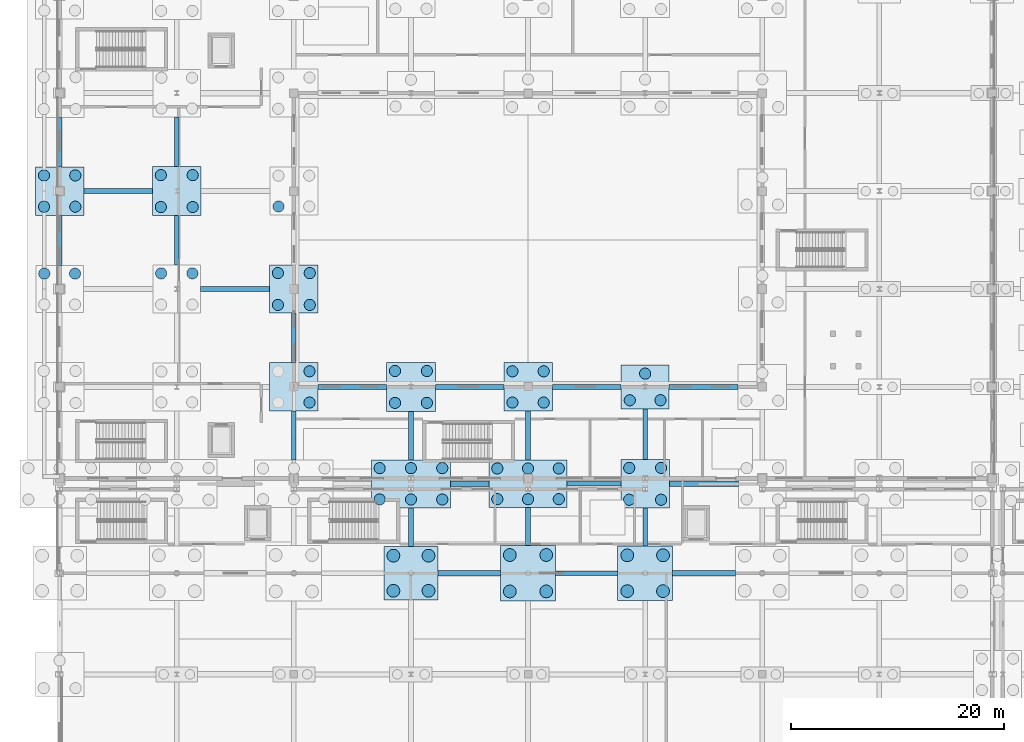
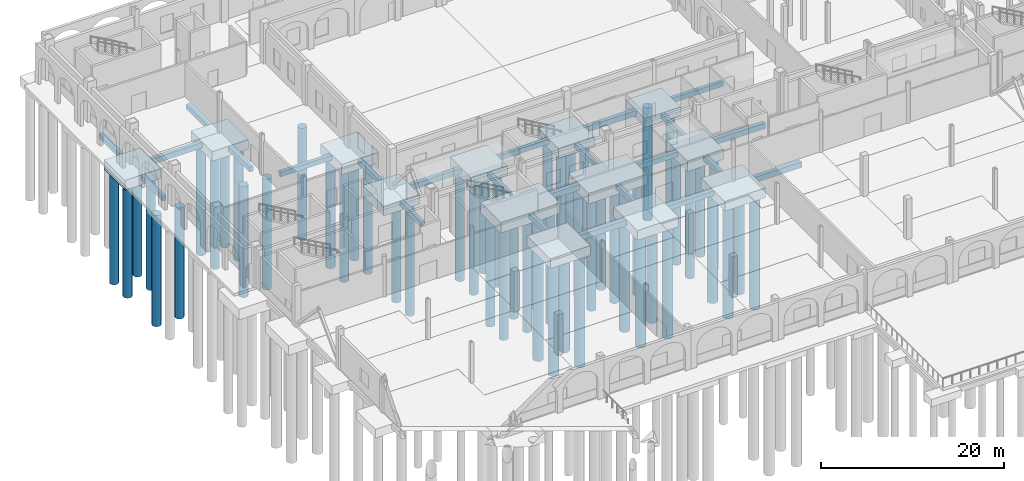
# One storey, part 5 of 83: 58 piles, 37 footings.
"""IFC4 building model written with IfcOpenShell, lengths in metres."""

import ifcopenshell
import ifcopenshell.guid

model = None  # the IFC model being written
_history = None  # IfcOwnerHistory: only IFC2X3 demands one
_inside = {}  # id of a spatial element -> (the spatial element, [elements in it])
_under = {}  # id of a project, library or spatial element -> (it, [spatial elements below it])
_declared = {}  # id of a project -> (the project, [libraries it declares])
_typed = {}  # id of a type object -> (the type object, [elements of that type])
_made_of = {}  # id of a material, layer set ... -> (it, [elements and type objects made of it])


def new_model(schema):
    """Start an empty IFC model of exactly this schema.

    Asked for "IFC4X3", IfcOpenShell would pick the latest addendum, in which some entities
    have other attributes; the version numbers below select the first issue.
    IFC2X3 requires an IfcOwnerHistory on every rooted entity: one is made here for all.
    """
    global model, _history
    if schema == "IFC4X3":
        model = ifcopenshell.file(schema_version=(4, 3, 0, 0))
    else:
        model = ifcopenshell.file(schema=schema)
    _inside.clear()
    _under.clear()
    _declared.clear()
    _typed.clear()
    _made_of.clear()
    _history = None
    if model.schema == "IFC2X3":
        org = make("IfcOrganization", Name="unknown")
        user = make(
            "IfcPersonAndOrganization",
            ThePerson=make("IfcPerson", FamilyName="unknown"),
            TheOrganization=org,
        )
        app = make(
            "IfcApplication",
            ApplicationDeveloper=org,
            Version="unknown",
            ApplicationFullName="unknown",
            ApplicationIdentifier="unknown",
        )
        _history = make(
            "IfcOwnerHistory",
            OwningUser=user,
            OwningApplication=app,
            ChangeAction="ADDED",
            CreationDate=0,
        )
    return model


def make(cls, **values):
    """One entity of the class cls with the attributes given. An attribute that is None is left unset."""
    return model.create_entity(
        cls, **{name: value for name, value in values.items() if value is not None}
    )


def rooted(cls, **values):
    """An entity with a GlobalId (a new one), such as an element, a storey or a relation."""
    return make(cls, GlobalId=ifcopenshell.guid.new(), OwnerHistory=_history, **values)


def si_unit(unit_type, name, prefix=None):
    """IfcSIUnit, for example si_unit("LENGTHUNIT", "METRE", prefix="MILLI")."""
    return make("IfcSIUnit", UnitType=unit_type, Prefix=prefix, Name=name)


def assignment(units):
    """IfcUnitAssignment: the units of a project."""
    return None if units is None else make("IfcUnitAssignment", Units=units)


def point(xyz):
    """IfcCartesianPoint."""
    return None if xyz is None else make("IfcCartesianPoint", Coordinates=xyz)


def direction(xyz):
    """IfcDirection."""
    return None if xyz is None else make("IfcDirection", DirectionRatios=xyz)


def frame(location, z_axis=None, x_axis=None):
    """IfcAxis2Placement3D, a coordinate frame: its origin and axes. An axis left out is left unset."""
    return make(
        "IfcAxis2Placement3D",
        Location=point(location),
        Axis=direction(z_axis),
        RefDirection=direction(x_axis),
    )


def frame_2d(location, x_axis=None):
    """IfcAxis2Placement2D, a coordinate frame in the plane: its origin and x axis."""
    return make(
        "IfcAxis2Placement2D", Location=point(location), RefDirection=direction(x_axis)
    )


def origin():
    """The frame at (0, 0, 0) with its axes left unset."""
    return frame((0.0, 0.0, 0.0))


def origin_2d():
    """The frame at (0, 0) in the plane with its x axis left unset."""
    return frame_2d((0.0, 0.0))


def place(relative_to, where):
    """IfcLocalPlacement: puts the frame where relative to a parent placement (None: the world)."""
    return make(
        "IfcLocalPlacement", PlacementRelTo=relative_to, RelativePlacement=where
    )


def context(
    kind, dimensions, precision=None, world=None, true_north=None, identifier=None
):
    """IfcGeometricRepresentationContext, for example the 3D "Model" context."""
    return make(
        "IfcGeometricRepresentationContext",
        ContextIdentifier=identifier,
        ContextType=kind,
        CoordinateSpaceDimension=dimensions,
        Precision=precision,
        WorldCoordinateSystem=world,
        TrueNorth=true_north,
    )


def subcontext(parent, identifier, kind, view, scale=None):
    """IfcGeometricRepresentationSubContext, for example "Body" below "Model"."""
    return make(
        "IfcGeometricRepresentationSubContext",
        ContextIdentifier=identifier,
        ContextType=kind,
        ParentContext=parent,
        TargetScale=scale,
        TargetView=view,
    )


def project(units=None, contexts=None):
    """IfcProject with its units and contexts."""
    return rooted(
        "IfcProject",
        Name="project",
        RepresentationContexts=contexts,
        UnitsInContext=assignment(units),
    )


def spatial(cls, under=None, at=None, **own):
    """A site, building, storey or space (cls), placed at a placement, below another one or the project."""
    s = rooted(cls, ObjectPlacement=at, **own)
    if under is not None:
        _under.setdefault(under.id(), (under, []))[1].append(s)
    return s


def polyline(points):
    """IfcPolyline through the points."""
    return make("IfcPolyline", Points=[point(p) for p in points])


def profile(cls, at=None, kind="AREA", **sizes):
    """A parametric profile (cls). Its sizes go by their IFC names, for example OverallWidth=200.0."""
    return make(cls, ProfileType=kind, Position=at, **sizes)


def circle(**sizes):
    """IfcCircleProfileDef."""
    return profile("IfcCircleProfileDef", **sizes)


def outline(outer, holes=None, kind="AREA"):
    """IfcArbitraryClosedProfileDef: a profile drawn as a closed curve; with holes, ...WithVoids."""
    if holes is None:
        return make("IfcArbitraryClosedProfileDef", ProfileType=kind, OuterCurve=outer)
    return make(
        "IfcArbitraryProfileDefWithVoids",
        ProfileType=kind,
        OuterCurve=outer,
        InnerCurves=holes,
    )


def extrude(swept, where, along, depth):
    """IfcExtrudedAreaSolid: the profile swept, set in the frame where, extruded along a direction by depth."""
    return make(
        "IfcExtrudedAreaSolid",
        SweptArea=swept,
        Position=where,
        ExtrudedDirection=direction(along),
        Depth=depth,
    )


def shape(context_of_items, identifier, shape_type, items):
    """IfcShapeRepresentation: the items that make up one representation, for example the "Body"."""
    return make(
        "IfcShapeRepresentation",
        ContextOfItems=context_of_items,
        RepresentationIdentifier=identifier,
        RepresentationType=shape_type,
        Items=items,
    )


def material(Name=None, Category=None):
    """IfcMaterial."""
    return make("IfcMaterial", Name=Name, Category=Category)


def material_profile(
    of_material, cross_section, Name=None, Category=None, Priority=None
):
    """IfcMaterialProfile: a cross section and its material."""
    return make(
        "IfcMaterialProfile",
        Name=Name,
        Material=of_material,
        Profile=cross_section,
        Priority=Priority,
        Category=Category,
    )


def profile_set(profiles, Name=None, composite=None):
    """IfcMaterialProfileSet."""
    return make(
        "IfcMaterialProfileSet",
        Name=Name,
        MaterialProfiles=profiles,
        CompositeProfile=composite,
    )


def made_of(thing, what):
    """Note that an element or type object is made of a material, layer set ...; save() writes the relation."""
    if what is not None:
        _made_of.setdefault(what.id(), (what, []))[1].append(thing)
    return thing


def type_object(cls, material=None, **own):
    """A type object (cls), such as IfcWallType, which elements share."""
    return made_of(rooted(cls, **own), material)


def element(
    cls,
    number,
    at=None,
    inside=None,
    cuts=None,
    type_object=None,
    material=None,
    context=None,
    identifier="Body",
    shape_type=None,
    held_by="IfcProductDefinitionShape",
    body=None,
    shapes=None,
    **own,
):
    """One element of the class cls, such as IfcWall. Its Tag is "e" and its number.

    at: its placement. inside: the storey or other place that contains it. cuts: it is an
    opening in that element (IfcRelVoidsElement). A single representation is given by context,
    identifier, shape_type and body (its items); several are given by shapes. held_by: the class
    of the entity that holds the representations. save() writes the other relations.
    """
    e = rooted(cls, Tag="e%d" % number, ObjectPlacement=at, **own)
    if body is not None:
        shapes = [shape(context, identifier, shape_type, body)]
    if shapes is not None:
        e.Representation = make(held_by, Representations=shapes)
    if inside is not None:
        _inside.setdefault(inside.id(), (inside, []))[1].append(e)
    if cuts is not None:
        rooted(
            "IfcRelVoidsElement", RelatingBuildingElement=cuts, RelatedOpeningElement=e
        )
    if type_object is not None:
        _typed.setdefault(type_object.id(), (type_object, []))[1].append(e)
    return made_of(e, material)


def aggregate(whole, parts):
    """IfcRelAggregates: a whole, such as a stair, and the parts it consists of."""
    return rooted("IfcRelAggregates", RelatingObject=whole, RelatedObjects=parts)


def save(model, path):
    """Write the relations noted so far, then the file.

    IfcRelAggregates (storeys below a building ...), IfcRelContainedInSpatialStructure (elements
    in a storey), IfcRelDefinesByType, IfcRelAssociatesMaterial and IfcRelDeclares: one each for
    every whole, place, type object, material and project.
    """
    for whole, parts in _under.values():
        aggregate(whole, parts)
    for where, things in _inside.values():
        rooted(
            "IfcRelContainedInSpatialStructure",
            RelatedElements=things,
            RelatingStructure=where,
        )
    for kind, things in _typed.values():
        rooted("IfcRelDefinesByType", RelatedObjects=things, RelatingType=kind)
    for what, things in _made_of.values():
        rooted("IfcRelAssociatesMaterial", RelatedObjects=things, RelatingMaterial=what)
    for by, libraries in _declared.values():
        rooted("IfcRelDeclares", RelatingContext=by, RelatedDefinitions=libraries)
    model.write(path)


model = new_model("IFC4")

# Units and contexts
model_context = context("Model", 3, precision=1e-05, world=origin(), true_north=direction((0.0, 1.0)))
body_context = subcontext(model_context, "Body", "Model", "MODEL_VIEW")
ifc_project = project(units=[si_unit("LENGTHUNIT", "METRE"), si_unit("AREAUNIT", "SQUARE_METRE"), si_unit("VOLUMEUNIT", "CUBIC_METRE"), si_unit("PLANEANGLEUNIT", "RADIAN"), si_unit("MASSUNIT", "GRAM", prefix="KILO")], contexts=[model_context])

# Site, building, storey
site_placement = place(None, origin())
site = spatial("IfcSite", under=ifc_project, at=site_placement, CompositionType="ELEMENT")
building_placement = place(site_placement, origin())
building = spatial("IfcBuilding", under=site, at=building_placement, Name="Caurita Quay Ferry Terminal", CompositionType="ELEMENT")
storey_placement = place(building_placement, origin())
storey = spatial("IfcBuildingStorey", under=building, at=storey_placement, Name="L00", CompositionType="ELEMENT", Elevation=0.0)

# Footings
ifc_material = material(Name="Marine reinforced concrete C40/50", Category="concrete")
footing_type_1 = type_object("IfcFootingType", Name="FTG-BM-01", PredefinedType="FOOTING_BEAM", material=ifc_material)
footing_1_placement = place(storey_placement, frame((0.0, 0.0, -1.14990234375)))
element("IfcFooting", 1, at=footing_1_placement, inside=storey, type_object=footing_type_1, Name="Seismic Tie Footing Beam FB-X-077", PredefinedType="FOOTING_BEAM", context=body_context, shape_type="SweptSolid", body=[
    extrude(outline(polyline([(35.52490234375, 62.449951171875), (41.39990234375, 62.449951171875), (41.39990234375, 62.949951171875), (35.52490234375, 62.949951171875), (35.52490234375, 62.449951171875)])), origin(), (0.0, 0.0, 1.0), 0.75),
])
footing_2_placement = place(storey_placement, frame((0.0, 0.0, -1.14990234375)))
element("IfcFooting", 2, at=footing_2_placement, inside=storey, type_object=footing_type_1, Name="Seismic Tie Footing Beam FB-X-079", PredefinedType="FOOTING_BEAM", context=body_context, shape_type="SweptSolid", body=[
    extrude(outline(polyline([(57.574951171875, 62.449951171875), (63.47509765625, 62.449951171875), (63.47509765625, 62.949951171875), (57.574951171875, 62.949951171875), (57.574951171875, 62.449951171875)])), origin(), (0.0, 0.0, 1.0), 0.75),
])
footing_3_placement = place(storey_placement, frame((0.0, 0.0, -1.14990234375)))
element("IfcFooting", 3, at=footing_3_placement, inside=storey, type_object=footing_type_1, Name="Seismic Tie Footing Beam FB-X-093", PredefinedType="FOOTING_BEAM", context=body_context, shape_type="SweptSolid", body=[
    extrude(outline(polyline([(36.72509765625, 70.85009765625), (40.324951171875, 70.85009765625), (40.324951171875, 71.35009765625), (36.72509765625, 71.35009765625), (36.72509765625, 70.85009765625)])), origin(), (0.0, 0.0, 1.0), 0.75),
])
footing_4_placement = place(storey_placement, frame((0.0, 0.0, -1.14990234375)))
element("IfcFooting", 4, at=footing_4_placement, inside=storey, type_object=footing_type_1, Name="Seismic Tie Footing Beam FB-X-095", PredefinedType="FOOTING_BEAM", context=body_context, shape_type="SweptSolid", body=[
    extrude(outline(polyline([(57.27490234375, 70.85009765625), (63.75, 70.85009765625), (63.75, 71.35009765625), (57.27490234375, 71.35009765625), (57.27490234375, 70.85009765625)])), origin(), (0.0, 0.0, 1.0), 0.75),
])
footing_5_placement = place(storey_placement, frame((0.0, 0.0, -1.14990234375)))
element("IfcFooting", 5, at=footing_5_placement, inside=storey, type_object=footing_type_1, Name="Seismic Tie Footing Beam FB-X-109", PredefinedType="FOOTING_BEAM", context=body_context, shape_type="SweptSolid", body=[
    extrude(outline(polyline([(24.27490234375, 79.949951171875), (30.699951171875, 79.949951171875), (30.699951171875, 80.449951171875), (24.27490234375, 80.449951171875), (24.27490234375, 79.949951171875)])), origin(), (0.0, 0.0, 1.0), 0.75),
])
footing_6_placement = place(storey_placement, frame((0.0, 0.0, -1.14990234375)))
element("IfcFooting", 6, at=footing_6_placement, inside=storey, type_object=footing_type_1, Name="Seismic Tie Footing Beam FB-X-111", PredefinedType="FOOTING_BEAM", context=body_context, shape_type="SweptSolid", body=[
    extrude(outline(polyline([(46.27490234375, 79.949951171875), (52.75, 79.949951171875), (52.75, 80.449951171875), (46.27490234375, 80.449951171875), (46.27490234375, 79.949951171875)])), origin(), (0.0, 0.0, 1.0), 0.75),
])
footing_7_placement = place(storey_placement, frame((0.0, 0.0, -1.14990234375)))
element("IfcFooting", 7, at=footing_7_placement, inside=storey, type_object=footing_type_1, Name="Seismic Tie Footing Beam FB-X-139", PredefinedType="FOOTING_BEAM", context=body_context, shape_type="SweptSolid", body=[
    extrude(outline(polyline([(2.27490234375, 98.35009765625), (8.699951171875, 98.35009765625), (8.699951171875, 98.85009765625), (2.27490234375, 98.85009765625), (2.27490234375, 98.35009765625)])), origin(), (0.0, 0.0, 1.0), 0.75),
])
footing_type_2 = type_object("IfcFootingType", Name="FTG-BM-02", PredefinedType="FOOTING_BEAM", material=ifc_material)
footing_8_placement = place(storey_placement, frame((0.0, 0.0, -1.050048828125)))
element("IfcFooting", 8, at=footing_8_placement, inside=storey, type_object=footing_type_2, Name="Seismic Tie Footing Beam FB-X-078", PredefinedType="FOOTING_BEAM", context=body_context, shape_type="SweptSolid", body=[
    extrude(outline(polyline([(46.60009765625, 62.47509765625), (52.425048828125, 62.47509765625), (52.425048828125, 62.925048828125), (46.60009765625, 62.925048828125), (46.60009765625, 62.47509765625)])), origin(), (0.0, 0.0, 1.0), 0.650146484375),
])
footing_9_placement = place(storey_placement, frame((0.0, 0.0, -1.050048828125)))
element("IfcFooting", 9, at=footing_9_placement, inside=storey, type_object=footing_type_2, Name="Seismic Tie Footing Beam FB-X-094", PredefinedType="FOOTING_BEAM", context=body_context, shape_type="SweptSolid", body=[
    extrude(outline(polyline([(47.675048828125, 70.875), (52.72509765625, 70.875), (52.72509765625, 71.324951171875), (47.675048828125, 71.324951171875), (47.675048828125, 70.875)])), origin(), (0.0, 0.0, 1.0), 0.650146484375),
])
footing_10_placement = place(storey_placement, frame((0.0, 0.0, -1.050048828125)))
element("IfcFooting", 10, at=footing_10_placement, inside=storey, type_object=footing_type_2, Name="Seismic Tie Footing Beam FB-X-110", PredefinedType="FOOTING_BEAM", context=body_context, shape_type="SweptSolid", body=[
    extrude(outline(polyline([(35.300048828125, 79.97509765625), (41.72509765625, 79.97509765625), (41.72509765625, 80.425048828125), (35.300048828125, 80.425048828125), (35.300048828125, 79.97509765625)])), origin(), (0.0, 0.0, 1.0), 0.650146484375),
])
footing_11_placement = place(storey_placement, frame((0.0, 0.0, -1.050048828125)))
element("IfcFooting", 11, at=footing_11_placement, inside=storey, type_object=footing_type_2, Name="Seismic Tie Footing Beam FB-X-112", PredefinedType="FOOTING_BEAM", context=body_context, shape_type="SweptSolid", body=[
    extrude(outline(polyline([(57.25, 79.97509765625), (63.699951171875, 79.97509765625), (63.699951171875, 80.425048828125), (57.25, 80.425048828125), (57.25, 79.97509765625)])), origin(), (0.0, 0.0, 1.0), 0.650146484375),
])
footing_12_placement = place(storey_placement, frame((0.0, 0.0, -1.050048828125)))
element("IfcFooting", 12, at=footing_12_placement, inside=storey, type_object=footing_type_2, Name="Seismic Tie Footing Beam FB-X-126", PredefinedType="FOOTING_BEAM", context=body_context, shape_type="SweptSolid", body=[
    extrude(outline(polyline([(13.25, 89.175048828125), (19.72509765625, 89.175048828125), (19.72509765625, 89.625), (13.25, 89.625), (13.25, 89.175048828125)])), origin(), (0.0, 0.0, 1.0), 0.650146484375),
])
footing_13_placement = place(storey_placement, frame((0.0, 0.0, -1.050048828125)))
element("IfcFooting", 13, at=footing_13_placement, inside=storey, type_object=footing_type_2, Name="Seismic Tie Footing Beam FB-Y-193", PredefinedType="FOOTING_BEAM", context=body_context, shape_type="SweptSolid", body=[
    extrude(outline(polyline([(-0.22509765625, 91.625), (0.22509765625, 91.625), (0.22509765625, 96.324951171875), (-0.22509765625, 96.324951171875), (-0.22509765625, 91.625)])), origin(), (0.0, 0.0, 1.0), 0.650146484375),
])
footing_14_placement = place(storey_placement, frame((0.0, 0.0, -1.050048828125)))
element("IfcFooting", 14, at=footing_14_placement, inside=storey, type_object=footing_type_2, Name="Seismic Tie Footing Beam FB-Y-194", PredefinedType="FOOTING_BEAM", context=body_context, shape_type="SweptSolid", body=[
    extrude(outline(polyline([(-0.22509765625, 100.875), (0.22509765625, 100.875), (0.22509765625, 105.52490234375), (-0.22509765625, 105.52490234375), (-0.22509765625, 100.875)])), origin(), (0.0, 0.0, 1.0), 0.650146484375),
])
footing_15_placement = place(storey_placement, frame((0.0, 0.0, -1.050048828125)))
element("IfcFooting", 15, at=footing_15_placement, inside=storey, type_object=footing_type_2, Name="Seismic Tie Footing Beam FB-Y-205", PredefinedType="FOOTING_BEAM", context=body_context, shape_type="SweptSolid", body=[
    extrude(outline(polyline([(10.77490234375, 91.64990234375), (11.22509765625, 91.64990234375), (11.22509765625, 96.300048828125), (10.77490234375, 96.300048828125), (10.77490234375, 91.64990234375)])), origin(), (0.0, 0.0, 1.0), 0.650146484375),
])
footing_16_placement = place(storey_placement, frame((0.0, 0.0, -1.050048828125)))
element("IfcFooting", 16, at=footing_16_placement, inside=storey, type_object=footing_type_2, Name="Seismic Tie Footing Beam FB-Y-206", PredefinedType="FOOTING_BEAM", context=body_context, shape_type="SweptSolid", body=[
    extrude(outline(polyline([(10.77490234375, 100.89990234375), (11.22509765625, 100.89990234375), (11.22509765625, 105.574951171875), (10.77490234375, 105.574951171875), (10.77490234375, 100.89990234375)])), origin(), (0.0, 0.0, 1.0), 0.650146484375),
])
footing_17_placement = place(storey_placement, frame((0.0, 0.0, -1.050048828125)))
element("IfcFooting", 17, at=footing_17_placement, inside=storey, type_object=footing_type_2, Name="Seismic Tie Footing Beam FB-Y-215", PredefinedType="FOOTING_BEAM", context=body_context, shape_type="SweptSolid", body=[
    extrude(outline(polyline([(21.77490234375, 73.324951171875), (22.22509765625, 73.324951171875), (22.22509765625, 77.925048828125), (21.77490234375, 77.925048828125), (21.77490234375, 73.324951171875)])), origin(), (0.0, 0.0, 1.0), 0.650146484375),
])
footing_18_placement = place(storey_placement, frame((0.0, 0.0, -1.050048828125)))
element("IfcFooting", 18, at=footing_18_placement, inside=storey, type_object=footing_type_2, Name="Seismic Tie Footing Beam FB-Y-216", PredefinedType="FOOTING_BEAM", context=body_context, shape_type="SweptSolid", body=[
    extrude(outline(polyline([(21.77490234375, 82.47509765625), (22.22509765625, 82.47509765625), (22.22509765625, 87.125), (21.77490234375, 87.125), (21.77490234375, 82.47509765625)])), origin(), (0.0, 0.0, 1.0), 0.650146484375),
])
footing_19_placement = place(storey_placement, frame((0.0, 0.0, -1.050048828125)))
element("IfcFooting", 19, at=footing_19_placement, inside=storey, type_object=footing_type_2, Name="Seismic Tie Footing Beam FB-Y-223", PredefinedType="FOOTING_BEAM", context=body_context, shape_type="SweptSolid", body=[
    extrude(outline(polyline([(32.77490234375, 65.22509765625), (33.22509765625, 65.22509765625), (33.22509765625, 68.85009765625), (32.77490234375, 68.85009765625), (32.77490234375, 65.22509765625)])), origin(), (0.0, 0.0, 1.0), 0.650146484375),
])
footing_20_placement = place(storey_placement, frame((0.0, 0.0, -1.050048828125)))
element("IfcFooting", 20, at=footing_20_placement, inside=storey, type_object=footing_type_2, Name="Seismic Tie Footing Beam FB-Y-224", PredefinedType="FOOTING_BEAM", context=body_context, shape_type="SweptSolid", body=[
    extrude(outline(polyline([(32.77490234375, 73.35009765625), (33.22509765625, 73.35009765625), (33.22509765625, 77.89990234375), (32.77490234375, 77.89990234375), (32.77490234375, 73.35009765625)])), origin(), (0.0, 0.0, 1.0), 0.650146484375),
])
footing_21_placement = place(storey_placement, frame((0.0, 0.0, -1.050048828125)))
element("IfcFooting", 21, at=footing_21_placement, inside=storey, type_object=footing_type_2, Name="Seismic Tie Footing Beam FB-Y-229", PredefinedType="FOOTING_BEAM", context=body_context, shape_type="SweptSolid", body=[
    extrude(outline(polyline([(43.77490234375, 65.300048828125), (44.22509765625, 65.300048828125), (44.22509765625, 68.875), (43.77490234375, 68.875), (43.77490234375, 65.300048828125)])), origin(), (0.0, 0.0, 1.0), 0.650146484375),
])
footing_22_placement = place(storey_placement, frame((0.0, 0.0, -1.050048828125)))
element("IfcFooting", 22, at=footing_22_placement, inside=storey, type_object=footing_type_2, Name="Seismic Tie Footing Beam FB-Y-230", PredefinedType="FOOTING_BEAM", context=body_context, shape_type="SweptSolid", body=[
    extrude(outline(polyline([(43.77490234375, 73.324951171875), (44.22509765625, 73.324951171875), (44.22509765625, 77.925048828125), (43.77490234375, 77.925048828125), (43.77490234375, 73.324951171875)])), origin(), (0.0, 0.0, 1.0), 0.650146484375),
])
footing_23_placement = place(storey_placement, frame((0.0, 0.0, -1.050048828125)))
element("IfcFooting", 23, at=footing_23_placement, inside=storey, type_object=footing_type_2, Name="Seismic Tie Footing Beam FB-Y-237", PredefinedType="FOOTING_BEAM", context=body_context, shape_type="SweptSolid", body=[
    extrude(outline(polyline([(54.77490234375, 65.27490234375), (55.22509765625, 65.27490234375), (55.22509765625, 68.824951171875), (54.77490234375, 68.824951171875), (54.77490234375, 65.27490234375)])), origin(), (0.0, 0.0, 1.0), 0.650146484375),
])
footing_24_placement = place(storey_placement, frame((0.0, 0.0, -1.050048828125)))
element("IfcFooting", 24, at=footing_24_placement, inside=storey, type_object=footing_type_2, Name="Seismic Tie Footing Beam FB-Y-238", PredefinedType="FOOTING_BEAM", context=body_context, shape_type="SweptSolid", body=[
    extrude(outline(polyline([(54.77490234375, 73.375), (55.22509765625, 73.375), (55.22509765625, 78.125), (54.77490234375, 78.125), (54.77490234375, 73.375)])), origin(), (0.0, 0.0, 1.0), 0.650146484375),
])
footing_type_3 = type_object("IfcFootingType", Name="FTG-PC-04", PredefinedType="PILE_CAP", material=ifc_material)
footing_25_placement = place(storey_placement, frame((0.0, 0.0, -1.699951171875)))
element("IfcFooting", 25, at=footing_25_placement, inside=storey, type_object=footing_type_3, Name="Pile Cap PC-034", PredefinedType="PILE_CAP", context=body_context, shape_type="SweptSolid", body=[
    extrude(outline(polyline([(30.47509765625, 60.175048828125), (35.52490234375, 60.175048828125), (35.52490234375, 65.22509765625), (30.47509765625, 65.22509765625), (30.47509765625, 60.175048828125)])), origin(), (0.0, 0.0, 1.0), 1.300048828125),
])
footing_type_4 = type_object("IfcFootingType", Name="FTG-PC-05", PredefinedType="PILE_CAP", material=ifc_material)
footing_26_placement = place(storey_placement, frame((0.0, 0.0, -1.800048828125)))
element("IfcFooting", 26, at=footing_26_placement, inside=storey, type_object=footing_type_4, Name="Pile Cap PC-035", PredefinedType="PILE_CAP", context=body_context, shape_type="SweptSolid", body=[
    extrude(outline(polyline([(29.27490234375, 68.85009765625), (36.72509765625, 68.85009765625), (36.72509765625, 73.35009765625), (29.27490234375, 73.35009765625), (29.27490234375, 68.85009765625)])), origin(), (0.0, 0.0, 1.0), 1.400146484375),
])
footing_type_5 = type_object("IfcFootingType", Name="FTG-PC-06", PredefinedType="PILE_CAP", material=ifc_material)
footing_27_placement = place(storey_placement, frame((0.0, 0.0, -1.699951171875)))
element("IfcFooting", 27, at=footing_27_placement, inside=storey, type_object=footing_type_5, Name="Pile Cap PC-018", PredefinedType="PILE_CAP", context=body_context, shape_type="SweptSolid", body=[
    extrude(outline(polyline([(8.699951171875, 96.300048828125), (13.300048828125, 96.300048828125), (13.300048828125, 100.89990234375), (8.699951171875, 100.89990234375), (8.699951171875, 96.300048828125)])), origin(), (0.0, 0.0, 1.0), 1.300048828125),
])
footing_28_placement = place(storey_placement, frame((0.0, 0.0, -1.699951171875)))
element("IfcFooting", 28, at=footing_28_placement, inside=storey, type_object=footing_type_5, Name="Pile Cap PC-036", PredefinedType="PILE_CAP", context=body_context, shape_type="SweptSolid", body=[
    extrude(outline(polyline([(30.699951171875, 77.89990234375), (35.300048828125, 77.89990234375), (35.300048828125, 82.5), (30.699951171875, 82.5), (30.699951171875, 77.89990234375)])), origin(), (0.0, 0.0, 1.0), 1.300048828125),
])
footing_type_6 = type_object("IfcFootingType", Name="FTG-PC-08", PredefinedType="PILE_CAP", material=ifc_material)
footing_29_placement = place(storey_placement, frame((0.0, 0.0, -1.699951171875)))
element("IfcFooting", 29, at=footing_29_placement, inside=storey, type_object=footing_type_6, Name="Pile Cap PC-008", PredefinedType="PILE_CAP", context=body_context, shape_type="SweptSolid", body=[
    extrude(outline(polyline([(-2.27490234375, 96.324951171875), (2.27490234375, 96.324951171875), (2.27490234375, 100.875), (-2.27490234375, 100.875), (-2.27490234375, 96.324951171875)])), origin(), (0.0, 0.0, 1.0), 1.300048828125),
])
footing_30_placement = place(storey_placement, frame((0.0, 0.0, -1.699951171875)))
element("IfcFooting", 30, at=footing_30_placement, inside=storey, type_object=footing_type_6, Name="Pile Cap PC-026", PredefinedType="PILE_CAP", context=body_context, shape_type="SweptSolid", body=[
    extrude(outline(polyline([(19.72509765625, 77.925048828125), (24.27490234375, 77.925048828125), (24.27490234375, 82.47509765625), (19.72509765625, 82.47509765625), (19.72509765625, 77.925048828125)])), origin(), (0.0, 0.0, 1.0), 1.300048828125),
])
footing_31_placement = place(storey_placement, frame((0.0, 0.0, -1.699951171875)))
element("IfcFooting", 31, at=footing_31_placement, inside=storey, type_object=footing_type_6, Name="Pile Cap PC-044", PredefinedType="PILE_CAP", context=body_context, shape_type="SweptSolid", body=[
    extrude(outline(polyline([(41.72509765625, 77.925048828125), (46.27490234375, 77.925048828125), (46.27490234375, 82.47509765625), (41.72509765625, 82.47509765625), (41.72509765625, 77.925048828125)])), origin(), (0.0, 0.0, 1.0), 1.300048828125),
])
footing_type_7 = type_object("IfcFootingType", Name="FTG-PC-09", PredefinedType="PILE_CAP", material=ifc_material)
footing_32_placement = place(storey_placement, frame((0.0, 0.0, -1.800048828125)))
element("IfcFooting", 32, at=footing_32_placement, inside=storey, type_object=footing_type_7, Name="Pile Cap PC-027", PredefinedType="PILE_CAP", context=body_context, shape_type="SweptSolid", body=[
    extrude(outline(polyline([(19.72509765625, 87.125), (24.27490234375, 87.125), (24.27490234375, 91.675048828125), (19.72509765625, 91.675048828125), (19.72509765625, 87.125)])), origin(), (0.0, 0.0, 1.0), 1.400146484375),
])
footing_33_placement = place(storey_placement, frame((0.0, 0.0, -1.800048828125)))
element("IfcFooting", 33, at=footing_33_placement, inside=storey, type_object=footing_type_7, Name="Pile Cap PC-051", PredefinedType="PILE_CAP", context=body_context, shape_type="SweptSolid", body=[
    extrude(outline(polyline([(52.72509765625, 68.824951171875), (57.27490234375, 68.824951171875), (57.27490234375, 73.375), (52.72509765625, 73.375), (52.72509765625, 68.824951171875)])), origin(), (0.0, 0.0, 1.0), 1.400146484375),
])
footing_type_8 = type_object("IfcFootingType", Name="FTG-PC-14", PredefinedType="PILE_CAP", material=ifc_material)
footing_34_placement = place(storey_placement, frame((0.0, 0.0, -1.699951171875)))
element("IfcFooting", 34, at=footing_34_placement, inside=storey, type_object=footing_type_8, Name="Pile Cap PC-050", PredefinedType="PILE_CAP", context=body_context, shape_type="SweptSolid", body=[
    extrude(outline(polyline([(52.425048828125, 60.125), (57.574951171875, 60.125), (57.574951171875, 65.27490234375), (52.425048828125, 65.27490234375), (52.425048828125, 60.125)])), origin(), (0.0, 0.0, 1.0), 1.300048828125),
])
footing_type_9 = type_object("IfcFootingType", Name="FTG-PC-20", PredefinedType="PILE_CAP", material=ifc_material)
footing_35_placement = place(storey_placement, frame((0.0, 0.0, -1.699951171875)))
element("IfcFooting", 35, at=footing_35_placement, inside=storey, type_object=footing_type_9, Name="Pile Cap PC-042", PredefinedType="PILE_CAP", context=body_context, shape_type="SweptSolid", body=[
    extrude(outline(polyline([(41.39990234375, 60.10009765625), (46.60009765625, 60.10009765625), (46.60009765625, 65.300048828125), (41.39990234375, 65.300048828125), (41.39990234375, 60.10009765625)])), origin(), (0.0, 0.0, 1.0), 1.300048828125),
])
footing_type_10 = type_object("IfcFootingType", Name="FTG-PC-21", PredefinedType="PILE_CAP", material=ifc_material)
footing_36_placement = place(storey_placement, frame((0.0, 0.0, -1.800048828125)))
element("IfcFooting", 36, at=footing_36_placement, inside=storey, type_object=footing_type_10, Name="Pile Cap PC-043", PredefinedType="PILE_CAP", context=body_context, shape_type="SweptSolid", body=[
    extrude(outline(polyline([(40.324951171875, 68.875), (47.675048828125, 68.875), (47.675048828125, 73.324951171875), (40.324951171875, 73.324951171875), (40.324951171875, 68.875)])), origin(), (0.0, 0.0, 1.0), 1.400146484375),
])
footing_type_11 = type_object("IfcFootingType", Name="FTG-PC-25", PredefinedType="PILE_CAP", material=ifc_material)
footing_37_placement = place(storey_placement, frame((0.0, 0.0, -1.550048828125)))
element("IfcFooting", 37, at=footing_37_placement, inside=storey, type_object=footing_type_11, Name="Pile Cap PC-052", PredefinedType="PILE_CAP", context=body_context, shape_type="SweptSolid", body=[
    extrude(outline(polyline([(52.75, 78.125), (57.25, 78.125), (57.25, 82.27490234375), (52.75, 82.27490234375), (52.75, 78.125)])), origin(), (0.0, 0.0, 1.0), 1.150146484375),
])

# Piles
ifc_material_profile_1 = material_profile(ifc_material, circle(Radius=0.52490234375, at=origin_2d()), Name="PILE-D1050")
ifc_profile_set_1 = profile_set([ifc_material_profile_1], Name="Marine reinforced concrete C40/50")
pile_type_1 = type_object("IfcPileType", Name="TYPE-PL-1050", PredefinedType="BORED", material=ifc_profile_set_1)
for number, where, z_axis, x_axis, name in (
    (38, (-1.444091796875, 90.843994140625, -1.699951171875), (0.0, 0.0, -1.0), (1.0, 0.0, 0.0), "Bored Marine Pile PC-007-P3"),
    (39, (1.444091796875, 90.843994140625, -1.699951171875), (0.0, 0.0, -1.0), (1.0, 0.0, 0.0), "Bored Marine Pile PC-007-P4"),
):
    element("IfcPile", number, at=place(storey_placement, frame(where, z_axis=z_axis, x_axis=x_axis)), inside=storey, type_object=pile_type_1, Name=name, PredefinedType="BORED", context=body_context, shape_type="SweptSolid", body=[
        extrude(circle(Radius=0.52490234375, at=origin_2d()), origin(), (0.0, 0.0, 1.0), 14.800048828125),
    ])
for number, where, z_axis, x_axis, name in (
    (40, (-1.469970703125, 97.1298828125, -1.60009765625), (0.0, 0.0, -1.0), (1.0, 0.0, 0.0), "Bored Marine Pile PC-008-P1"),
    (41, (1.469970703125, 97.1298828125, -1.60009765625), (0.0, 0.0, -1.0), (1.0, 0.0, 0.0), "Bored Marine Pile PC-008-P2"),
    (42, (-1.469970703125, 100.070068359375, -1.60009765625), (0.0, 0.0, -1.0), (1.0, 0.0, 0.0), "Bored Marine Pile PC-008-P3"),
    (43, (1.469970703125, 100.070068359375, -1.60009765625), (0.0, 0.0, -1.0), (1.0, 0.0, 0.0), "Bored Marine Pile PC-008-P4"),
):
    element("IfcPile", number, at=place(storey_placement, frame(where, z_axis=z_axis, x_axis=x_axis)), inside=storey, type_object=pile_type_1, Name=name, PredefinedType="BORED", context=body_context, shape_type="SweptSolid", body=[
        extrude(circle(Radius=0.52490234375, at=origin_2d()), origin(), (0.0, 0.0, 1.0), 14.89990234375),
    ])
for number, where, z_axis, x_axis, name in (
    (44, (9.530029296875, 90.8701171875, -1.699951171875), (0.0, 0.0, -1.0), (1.0, 0.0, 0.0), "Bored Marine Pile PC-017-P3"),
    (45, (12.469970703125, 90.8701171875, -1.699951171875), (0.0, 0.0, -1.0), (1.0, 0.0, 0.0), "Bored Marine Pile PC-017-P4"),
):
    element("IfcPile", number, at=place(storey_placement, frame(where, z_axis=z_axis, x_axis=x_axis)), inside=storey, type_object=pile_type_1, Name=name, PredefinedType="BORED", context=body_context, shape_type="SweptSolid", body=[
        extrude(circle(Radius=0.52490234375, at=origin_2d()), origin(), (0.0, 0.0, 1.0), 14.800048828125),
    ])
for number, where, z_axis, x_axis, name in (
    (46, (9.50390625, 97.10302734375, -1.60009765625), (0.0, 0.0, -1.0), (1.0, 0.0, 0.0), "Bored Marine Pile PC-018-P1"),
    (47, (12.49609375, 97.10302734375, -1.60009765625), (0.0, 0.0, -1.0), (1.0, 0.0, 0.0), "Bored Marine Pile PC-018-P2"),
    (48, (9.50390625, 100.095947265625, -1.60009765625), (0.0, 0.0, -1.0), (1.0, 0.0, 0.0), "Bored Marine Pile PC-018-P3"),
    (49, (12.49609375, 100.095947265625, -1.60009765625), (0.0, 0.0, -1.0), (1.0, 0.0, 0.0), "Bored Marine Pile PC-018-P4"),
    (50, (23.469970703125, 78.72998046875, -1.60009765625), (0.0, 0.0, -1.0), (1.0, 0.0, 0.0), "Bored Marine Pile PC-026-P2"),
    (51, (23.469970703125, 81.669921875, -1.60009765625), (0.0, 0.0, -1.0), (1.0, 0.0, 0.0), "Bored Marine Pile PC-026-P4"),
):
    element("IfcPile", number, at=place(storey_placement, frame(where, z_axis=z_axis, x_axis=x_axis)), inside=storey, type_object=pile_type_1, Name=name, PredefinedType="BORED", context=body_context, shape_type="SweptSolid", body=[
        extrude(circle(Radius=0.52490234375, at=origin_2d()), origin(), (0.0, 0.0, 1.0), 14.89990234375),
    ])
for number, where, z_axis, x_axis, name in (
    (52, (20.5029296875, 87.904052734375, -1.699951171875), (0.0, 0.0, -1.0), (1.0, 0.0, 0.0), "Bored Marine Pile PC-027-P1"),
    (53, (23.4970703125, 87.904052734375, -1.699951171875), (0.0, 0.0, -1.0), (1.0, 0.0, 0.0), "Bored Marine Pile PC-027-P2"),
    (54, (20.5029296875, 90.89697265625, -1.699951171875), (0.0, 0.0, -1.0), (1.0, 0.0, 0.0), "Bored Marine Pile PC-027-P3"),
    (55, (23.4970703125, 90.89697265625, -1.699951171875), (0.0, 0.0, -1.0), (1.0, 0.0, 0.0), "Bored Marine Pile PC-027-P4"),
):
    element("IfcPile", number, at=place(storey_placement, frame(where, z_axis=z_axis, x_axis=x_axis)), inside=storey, type_object=pile_type_1, Name=name, PredefinedType="BORED", context=body_context, shape_type="SweptSolid", body=[
        extrude(circle(Radius=0.52490234375, at=origin_2d()), origin(), (0.0, 0.0, 1.0), 14.800048828125),
    ])
pile_placement = place(storey_placement, frame((20.555908203125, 97.156005859375, -1.60009765625), z_axis=(0.0, 0.0, -1.0), x_axis=(1.0, 0.0, 0.0)))
element("IfcPile", 56, at=pile_placement, inside=storey, type_object=pile_type_1, Name="Bored Marine Pile PC-028-P1", PredefinedType="BORED", context=body_context, shape_type="SweptSolid", body=[
    extrude(circle(Radius=0.52490234375, at=origin_2d()), origin(), (0.0, 0.0, 1.0), 14.89990234375),
])
for number, where, z_axis, x_axis, name in (
    (57, (30.06005859375, 69.6298828125, -1.699951171875), (0.0, 0.0, -1.0), (1.0, 0.0, 0.0), "Bored Marine Pile PC-035-P1"),
    (58, (33.0, 69.6298828125, -1.699951171875), (0.0, 0.0, -1.0), (1.0, 0.0, 0.0), "Bored Marine Pile PC-035-P2"),
    (59, (35.93994140625, 69.6298828125, -1.699951171875), (0.0, 0.0, -1.0), (1.0, 0.0, 0.0), "Bored Marine Pile PC-035-P3"),
    (60, (30.06005859375, 72.570068359375, -1.699951171875), (0.0, 0.0, -1.0), (1.0, 0.0, 0.0), "Bored Marine Pile PC-035-P4"),
    (61, (33.0, 72.570068359375, -1.699951171875), (0.0, 0.0, -1.0), (1.0, 0.0, 0.0), "Bored Marine Pile PC-035-P5"),
    (62, (35.93994140625, 72.570068359375, -1.699951171875), (0.0, 0.0, -1.0), (1.0, 0.0, 0.0), "Bored Marine Pile PC-035-P6"),
):
    element("IfcPile", number, at=place(storey_placement, frame(where, z_axis=z_axis, x_axis=x_axis)), inside=storey, type_object=pile_type_1, Name=name, PredefinedType="BORED", context=body_context, shape_type="SweptSolid", body=[
        extrude(circle(Radius=0.52490234375, at=origin_2d()), origin(), (0.0, 0.0, 1.0), 14.800048828125),
    ])
for number, where, z_axis, x_axis, name in (
    (63, (31.5029296875, 78.7041015625, -1.60009765625), (0.0, 0.0, -1.0), (1.0, 0.0, 0.0), "Bored Marine Pile PC-036-P1"),
    (64, (34.49609375, 78.7041015625, -1.60009765625), (0.0, 0.0, -1.0), (1.0, 0.0, 0.0), "Bored Marine Pile PC-036-P2"),
    (65, (31.5029296875, 81.697021484375, -1.60009765625), (0.0, 0.0, -1.0), (1.0, 0.0, 0.0), "Bored Marine Pile PC-036-P3"),
    (66, (34.49609375, 81.697021484375, -1.60009765625), (0.0, 0.0, -1.0), (1.0, 0.0, 0.0), "Bored Marine Pile PC-036-P4"),
):
    element("IfcPile", number, at=place(storey_placement, frame(where, z_axis=z_axis, x_axis=x_axis)), inside=storey, type_object=pile_type_1, Name=name, PredefinedType="BORED", context=body_context, shape_type="SweptSolid", body=[
        extrude(circle(Radius=0.52490234375, at=origin_2d()), origin(), (0.0, 0.0, 1.0), 14.89990234375),
    ])
for number, where, z_axis, x_axis, name in (
    (67, (41.112060546875, 69.656005859375, -1.699951171875), (0.0, 0.0, -1.0), (1.0, 0.0, 0.0), "Bored Marine Pile PC-043-P1"),
    (68, (44.0, 69.656005859375, -1.699951171875), (0.0, 0.0, -1.0), (1.0, 0.0, 0.0), "Bored Marine Pile PC-043-P2"),
    (69, (46.887939453125, 69.656005859375, -1.699951171875), (0.0, 0.0, -1.0), (1.0, 0.0, 0.0), "Bored Marine Pile PC-043-P3"),
    (70, (41.112060546875, 72.5439453125, -1.699951171875), (0.0, 0.0, -1.0), (1.0, 0.0, 0.0), "Bored Marine Pile PC-043-P4"),
    (71, (44.0, 72.5439453125, -1.699951171875), (0.0, 0.0, -1.0), (1.0, 0.0, 0.0), "Bored Marine Pile PC-043-P5"),
    (72, (46.887939453125, 72.5439453125, -1.699951171875), (0.0, 0.0, -1.0), (1.0, 0.0, 0.0), "Bored Marine Pile PC-043-P6"),
):
    element("IfcPile", number, at=place(storey_placement, frame(where, z_axis=z_axis, x_axis=x_axis)), inside=storey, type_object=pile_type_1, Name=name, PredefinedType="BORED", context=body_context, shape_type="SweptSolid", body=[
        extrude(circle(Radius=0.52490234375, at=origin_2d()), origin(), (0.0, 0.0, 1.0), 14.800048828125),
    ])
for number, where, z_axis, x_axis, name in (
    (73, (42.530029296875, 78.72998046875, -1.60009765625), (0.0, 0.0, -1.0), (1.0, 0.0, 0.0), "Bored Marine Pile PC-044-P1"),
    (74, (45.469970703125, 78.72998046875, -1.60009765625), (0.0, 0.0, -1.0), (1.0, 0.0, 0.0), "Bored Marine Pile PC-044-P2"),
    (75, (42.530029296875, 81.669921875, -1.60009765625), (0.0, 0.0, -1.0), (1.0, 0.0, 0.0), "Bored Marine Pile PC-044-P3"),
    (76, (45.469970703125, 81.669921875, -1.60009765625), (0.0, 0.0, -1.0), (1.0, 0.0, 0.0), "Bored Marine Pile PC-044-P4"),
):
    element("IfcPile", number, at=place(storey_placement, frame(where, z_axis=z_axis, x_axis=x_axis)), inside=storey, type_object=pile_type_1, Name=name, PredefinedType="BORED", context=body_context, shape_type="SweptSolid", body=[
        extrude(circle(Radius=0.52490234375, at=origin_2d()), origin(), (0.0, 0.0, 1.0), 14.89990234375),
    ])
for number, where, z_axis, x_axis, name in (
    (77, (53.50390625, 69.60302734375, -1.699951171875), (0.0, 0.0, -1.0), (1.0, 0.0, 0.0), "Bored Marine Pile PC-051-P1"),
    (78, (56.49609375, 69.60302734375, -1.699951171875), (0.0, 0.0, -1.0), (1.0, 0.0, 0.0), "Bored Marine Pile PC-051-P2"),
    (79, (53.50390625, 72.595947265625, -1.699951171875), (0.0, 0.0, -1.0), (1.0, 0.0, 0.0), "Bored Marine Pile PC-051-P3"),
    (80, (56.49609375, 72.595947265625, -1.699951171875), (0.0, 0.0, -1.0), (1.0, 0.0, 0.0), "Bored Marine Pile PC-051-P4"),
):
    element("IfcPile", number, at=place(storey_placement, frame(where, z_axis=z_axis, x_axis=x_axis)), inside=storey, type_object=pile_type_1, Name=name, PredefinedType="BORED", context=body_context, shape_type="SweptSolid", body=[
        extrude(circle(Radius=0.52490234375, at=origin_2d()), origin(), (0.0, 0.0, 1.0), 14.800048828125),
    ])
for number, where, z_axis, x_axis, name in (
    (81, (53.555908203125, 78.948974609375, -1.449951171875), (0.0, 0.0, -1.0), (1.0, 0.0, 0.0), "Bored Marine Pile PC-052-P1"),
    (82, (56.444091796875, 78.948974609375, -1.449951171875), (0.0, 0.0, -1.0), (1.0, 0.0, 0.0), "Bored Marine Pile PC-052-P2"),
    (83, (55.0, 81.450927734375, -1.449951171875), (0.0, 0.0, -1.0), (1.0, 0.0, 0.0), "Bored Marine Pile PC-052-P3"),
):
    element("IfcPile", number, at=place(storey_placement, frame(where, z_axis=z_axis, x_axis=x_axis)), inside=storey, type_object=pile_type_1, Name=name, PredefinedType="BORED", context=body_context, shape_type="SweptSolid", body=[
        extrude(circle(Radius=0.52490234375, at=origin_2d()), origin(), (0.0, 0.0, 1.0), 15.050048828125),
    ])
ifc_material_profile_2 = material_profile(ifc_material, circle(Radius=0.60009765625, at=origin_2d()), Name="PILE-D1200")
ifc_profile_set_2 = profile_set([ifc_material_profile_2], Name="Marine reinforced concrete C40/50")
pile_type_2 = type_object("IfcPileType", Name="TYPE-PL-1200", PredefinedType="BORED", material=ifc_profile_set_2)
for number, where, z_axis, x_axis, name in (
    (84, (31.35009765625, 61.050048828125, -1.60009765625), (0.0, 0.0, -1.0), (1.0, 0.0, 0.0), "Bored Marine Pile PC-034-P1"),
    (85, (34.64990234375, 61.050048828125, -1.60009765625), (0.0, 0.0, -1.0), (1.0, 0.0, 0.0), "Bored Marine Pile PC-034-P2"),
    (86, (31.35009765625, 64.35009765625, -1.60009765625), (0.0, 0.0, -1.0), (1.0, 0.0, 0.0), "Bored Marine Pile PC-034-P3"),
    (87, (34.64990234375, 64.35009765625, -1.60009765625), (0.0, 0.0, -1.0), (1.0, 0.0, 0.0), "Bored Marine Pile PC-034-P4"),
    (88, (42.2900390625, 60.989990234375, -1.60009765625), (0.0, 0.0, -1.0), (1.0, 0.0, 0.0), "Bored Marine Pile PC-042-P1"),
    (89, (45.7099609375, 60.989990234375, -1.60009765625), (0.0, 0.0, -1.0), (1.0, 0.0, 0.0), "Bored Marine Pile PC-042-P2"),
    (90, (42.2900390625, 64.409912109375, -1.60009765625), (0.0, 0.0, -1.0), (1.0, 0.0, 0.0), "Bored Marine Pile PC-042-P3"),
    (91, (45.7099609375, 64.409912109375, -1.60009765625), (0.0, 0.0, -1.0), (1.0, 0.0, 0.0), "Bored Marine Pile PC-042-P4"),
    (92, (53.320068359375, 61.02001953125, -1.60009765625), (0.0, 0.0, -1.0), (1.0, 0.0, 0.0), "Bored Marine Pile PC-050-P1"),
    (93, (56.679931640625, 61.02001953125, -1.60009765625), (0.0, 0.0, -1.0), (1.0, 0.0, 0.0), "Bored Marine Pile PC-050-P2"),
    (94, (53.320068359375, 64.3798828125, -1.60009765625), (0.0, 0.0, -1.0), (1.0, 0.0, 0.0), "Bored Marine Pile PC-050-P3"),
    (95, (56.679931640625, 64.3798828125, -1.60009765625), (0.0, 0.0, -1.0), (1.0, 0.0, 0.0), "Bored Marine Pile PC-050-P4"),
):
    element("IfcPile", number, at=place(storey_placement, frame(where, z_axis=z_axis, x_axis=x_axis)), inside=storey, type_object=pile_type_2, Name=name, PredefinedType="BORED", context=body_context, shape_type="SweptSolid", body=[
        extrude(circle(Radius=0.60009765625, at=origin_2d()), origin(), (0.0, 0.0, 1.0), 14.89990234375),
    ])

save(model, "model.ifc")
